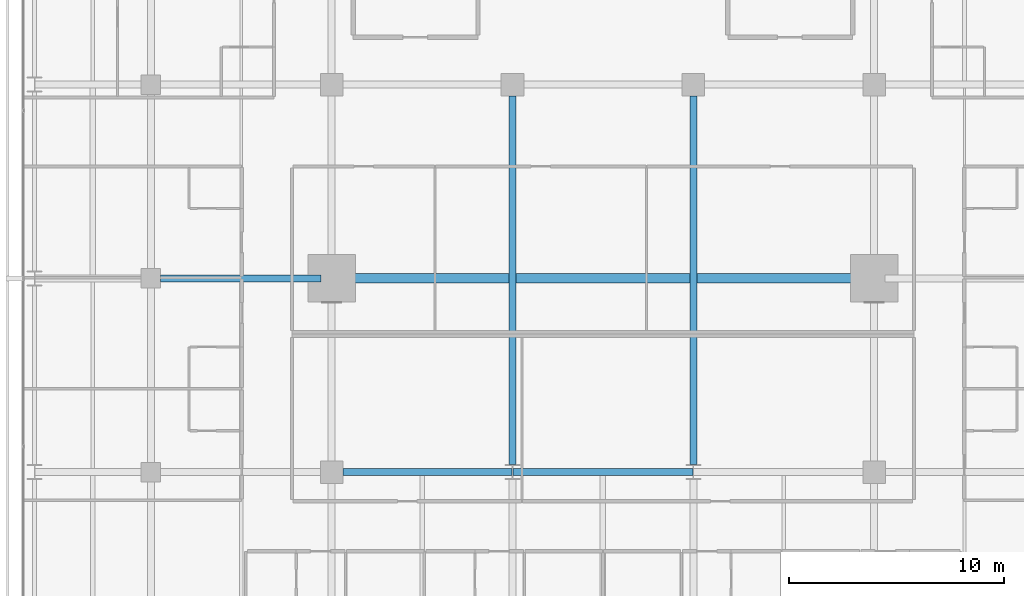
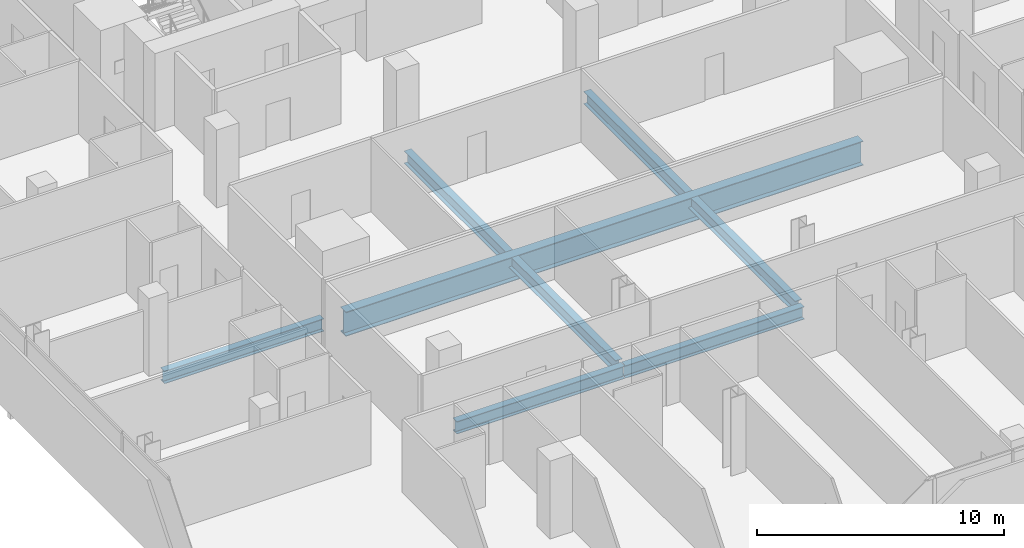
# One storey, part 13 of 39: 6 beams.
"""IFC4 building model written with IfcOpenShell, lengths in metres."""

from ifc_helpers import new_model, si_unit, direction, frame, origin, origin_2d, place, context, subcontext, project, spatial, i_section, extrude, material, material_profile, profile_set, type_object, element, save


model = new_model("IFC4")

# Units and contexts
model_context = context("Model", 3, precision=1e-05, world=origin(), true_north=direction((0.0, 1.0)))
body_context = subcontext(model_context, "Body", "Model", "MODEL_VIEW")
ifc_project = project(units=[si_unit("LENGTHUNIT", "METRE"), si_unit("AREAUNIT", "SQUARE_METRE"), si_unit("VOLUMEUNIT", "CUBIC_METRE"), si_unit("PLANEANGLEUNIT", "RADIAN"), si_unit("MASSUNIT", "GRAM", prefix="KILO")], contexts=[model_context])

# Site, building, storey
site_placement = place(None, origin())
site = spatial("IfcSite", under=ifc_project, at=site_placement, CompositionType="ELEMENT")
building_placement = place(site_placement, origin())
building = spatial("IfcBuilding", under=site, at=building_placement, Name="Maruvema Waterfront Hotel and Observation Tower", CompositionType="ELEMENT")
storey_placement = place(building_placement, frame((0.0, 0.0, 46.199951171875)))
storey = spatial("IfcBuildingStorey", under=building, at=storey_placement, Name="L10", CompositionType="ELEMENT", Elevation=46.199951171875)

# Beams
ifc_material_1 = material(Name="Steel ASTM A572 Grade 50", Category="steel")
ifc_material_profile_1 = material_profile(ifc_material_1, i_section(OverallWidth=0.326904296875, OverallDepth=0.6220703125, WebThickness=0.015380859375, FlangeThickness=0.0244140625, FilletRadius=0.01806640625, at=origin_2d()), Name="W610x195.0")
ifc_profile_set_1 = profile_set([ifc_material_profile_1], Name="Steel ASTM A572 Grade 50")
beam_type_1 = type_object("IfcBeamType", Name="Primary Floor Girder W610x195.0", PredefinedType="BEAM", material=ifc_profile_set_1)
beam_1_placement = place(storey_placement, frame((25.72509765625, 18.0, -0.551025390625), z_axis=(1.0, 0.0, 0.0), x_axis=(0.0, 1.0, 0.0)))
element("IfcBeam", 1, at=beam_1_placement, inside=storey, type_object=beam_type_1, Name="L10 Floor Girder EW-15", PredefinedType="BEAM", context=body_context, shape_type="SweptSolid", body=[
    extrude(i_section(OverallWidth=0.326904296875, OverallDepth=0.6220703125, WebThickness=0.015380859375, FlangeThickness=0.0244140625, FilletRadius=0.01806640625, at=origin_2d()), origin(), (0.0, 0.0, 1.0), 7.86083984375),
])
beam_2_placement = place(storey_placement, frame((33.614013671875, 18.0, -0.551025390625), z_axis=(1.0, 0.0, 0.0), x_axis=(0.0, 1.0, 0.0)))
element("IfcBeam", 2, at=beam_2_placement, inside=storey, type_object=beam_type_1, Name="L10 Floor Girder EW-16", PredefinedType="BEAM", context=body_context, shape_type="SweptSolid", body=[
    extrude(i_section(OverallWidth=0.326904296875, OverallDepth=0.6220703125, WebThickness=0.015380859375, FlangeThickness=0.0244140625, FilletRadius=0.01806640625, at=origin_2d()), origin(), (0.0, 0.0, 1.0), 8.3720703125),
])
beam_3_placement = place(storey_placement, frame((17.25, 27.0, -0.551025390625), z_axis=(1.0, 0.0, 0.0), x_axis=(0.0, 1.0, 0.0)))
element("IfcBeam", 3, at=beam_3_placement, inside=storey, type_object=beam_type_1, Name="L10 Floor Girder EW-21", PredefinedType="BEAM", context=body_context, shape_type="SweptSolid", body=[
    extrude(i_section(OverallWidth=0.326904296875, OverallDepth=0.6220703125, WebThickness=0.015380859375, FlangeThickness=0.0244140625, FilletRadius=0.01806640625, at=origin_2d()), origin(), (0.0, 0.0, 1.0), 7.449951171875),
])
for number, where, z_axis, x_axis, name in (
    (4, (33.60009765625, 18.35009765625, -0.551025390625), (0.0, 1.0, 0.0), (-1.0, 0.0, 0.0), "L10 Floor Girder NS-18"),
    (5, (42.0, 18.35009765625, -0.551025390625), (0.0, 1.0, 0.0), (-1.0, 0.0, 0.0), "L10 Floor Girder NS-21"),
):
    element("IfcBeam", number, at=place(storey_placement, frame(where, z_axis=z_axis, x_axis=x_axis)), inside=storey, type_object=beam_type_1, Name=name, PredefinedType="BEAM", context=body_context, shape_type="SweptSolid", body=[
        extrude(i_section(OverallWidth=0.326904296875, OverallDepth=0.6220703125, WebThickness=0.015380859375, FlangeThickness=0.0244140625, FilletRadius=0.01806640625, at=origin_2d()), origin(), (0.0, 0.0, 1.0), 17.125),
    ])
ifc_material_2 = material(Name="Steel ABNT NBR 7007 AR 415 (ASTM A572 Grade 50)", Category="steel")
ifc_material_profile_2 = material_profile(ifc_material_2, i_section(OverallWidth=0.449951171875, OverallDepth=1.199951171875, WebThickness=0.01904296875, FlangeThickness=0.031982421875, at=origin_2d()), Name="VS1200x366")
ifc_profile_set_2 = profile_set([ifc_material_profile_2], Name="Steel ABNT NBR 7007 AR 415 (ASTM A572 Grade 50)")
beam_type_2 = type_object("IfcBeamType", Name="Upper Setback Transfer Girder VS1200x366", PredefinedType="USERDEFINED", material=ifc_profile_set_2)
beam_4_placement = place(storey_placement, frame((25.699951171875, 27.0, -0.83984375), z_axis=(1.0, 0.0, 0.0), x_axis=(0.0, 1.0, 0.0)))
element("IfcBeam", 6, at=beam_4_placement, inside=storey, type_object=beam_type_2, Name="L10 Floor Girder EW-22", ObjectType="TRANSFER GIRDER", PredefinedType="USERDEFINED", context=body_context, shape_type="SweptSolid", body=[
    extrude(i_section(OverallWidth=0.449951171875, OverallDepth=1.199951171875, WebThickness=0.01904296875, FlangeThickness=0.031982421875, at=origin_2d()), origin(), (0.0, 0.0, 1.0), 24.199951171875),
])

save(model, "model.ifc")
